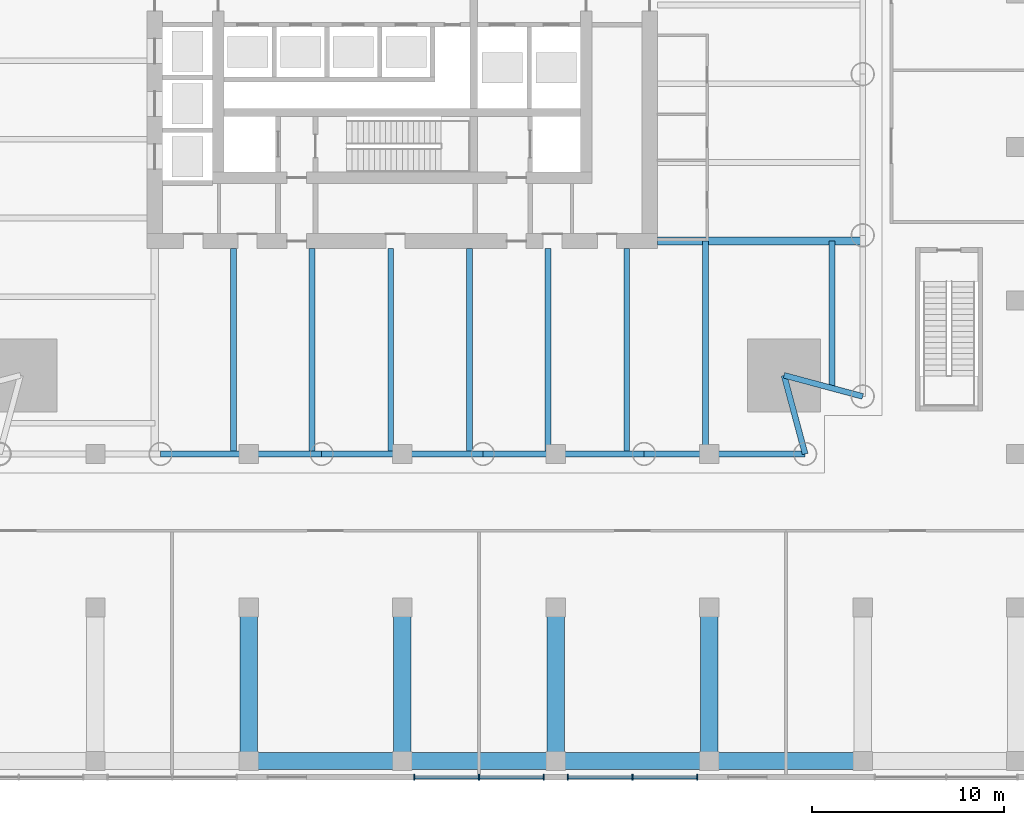
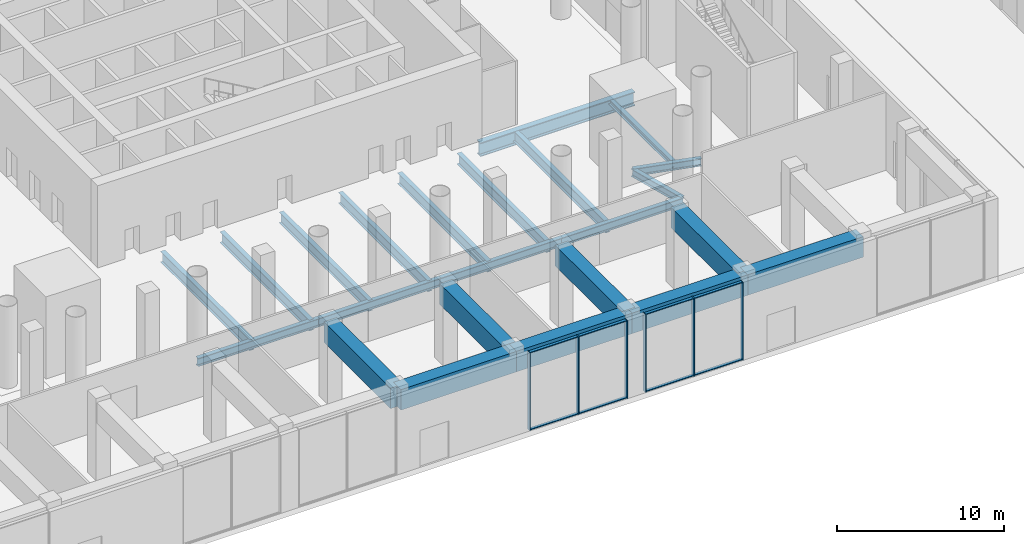
# One storey, part 6 of 39: 23 beams, 14 members, 2 elements without a shape of their own.
"""IFC4 building model written with IfcOpenShell, lengths in metres."""

from ifc_helpers import new_model, si_unit, direction, frame, origin, origin_2d, place, context, subcontext, project, spatial, rectangle, i_section, extrude, material, material_profile, profile_set, type_object, element, aggregate, save


model = new_model("IFC4")

# Units and contexts
model_context = context("Model", 3, precision=1e-05, world=origin(), true_north=direction((0.0, 1.0)))
body_context = subcontext(model_context, "Body", "Model", "MODEL_VIEW")
ifc_project = project(units=[si_unit("LENGTHUNIT", "METRE"), si_unit("AREAUNIT", "SQUARE_METRE"), si_unit("VOLUMEUNIT", "CUBIC_METRE"), si_unit("PLANEANGLEUNIT", "RADIAN"), si_unit("MASSUNIT", "GRAM", prefix="KILO")], contexts=[model_context])

# Site, building, storey
site_placement = place(None, origin())
site = spatial("IfcSite", under=ifc_project, at=site_placement, CompositionType="ELEMENT")
building_placement = place(site_placement, origin())
building = spatial("IfcBuilding", under=site, at=building_placement, Name="Ostroluk Exchange", CompositionType="ELEMENT")
storey_placement = place(building_placement, origin())
storey = spatial("IfcBuildingStorey", under=building, at=storey_placement, Name="L00", CompositionType="ELEMENT", Elevation=0.0)

# Beams
ifc_material_1 = material(Name="Steel S355", Category="steel")
ifc_material_profile_1 = material_profile(ifc_material_1, i_section(OverallWidth=0.300048828125, OverallDepth=0.550048828125, WebThickness=0.014892578125, FlangeThickness=0.029052734375, FilletRadius=0.027099609375, at=origin_2d()), Name="HEB 550")
ifc_profile_set_1 = profile_set([ifc_material_profile_1], Name="Steel S355")
beam_type_1 = type_object("IfcBeamType", Name="Corner edge beam HEB 550", PredefinedType="SPANDREL", material=ifc_profile_set_1)
for number, where, z_axis, x_axis, name in (
    (1, (64.89990234375, 26.10009765625, -0.574951171875), (0.259144268261, -0.965838624319, 0.0), (0.965838624319, 0.259144268261, 0.0), "T1 south corner edge beam a"),
    (2, (64.89990234375, 26.10009765625, -0.574951171875), (0.965838624319, -0.259144268261, 0.0), (0.259144268261, 0.965838624319, 0.0), "T1 south corner edge beam b"),
):
    element("IfcBeam", number, at=place(storey_placement, frame(where, z_axis=z_axis, x_axis=x_axis)), inside=storey, type_object=beam_type_1, Name=name, PredefinedType="SPANDREL", context=body_context, shape_type="SweptSolid", body=[
        extrude(i_section(OverallWidth=0.300048828125, OverallDepth=0.550048828125, WebThickness=0.014892578125, FlangeThickness=0.029052734375, FilletRadius=0.027099609375, at=origin_2d()), origin(), (0.0, 0.0, 1.0), 4.2451171875),
    ])
ifc_material_2 = material(Name="Steel S355", Category="steel")
ifc_material_profile_2 = material_profile(ifc_material_2, i_section(OverallWidth=0.300048828125, OverallDepth=0.39990234375, WebThickness=0.013427734375, FlangeThickness=0.02392578125, FilletRadius=0.027099609375, at=origin_2d()), Name="HEB 400")
ifc_profile_set_2 = profile_set([ifc_material_profile_2], Name="Steel S355")
beam_type_2 = type_object("IfcBeamType", Name="Floor beam HEB 400", PredefinedType="BEAM", material=ifc_profile_set_2)
beam_1_placement = place(storey_placement, frame((67.39990234375, 33.10009765625, -0.5), z_axis=(0.0, -1.0, 0.0), x_axis=(1.0, 0.0, 0.0)))
element("IfcBeam", 3, at=beam_1_placement, inside=storey, type_object=beam_type_2, Name="T1 south floor beam 8", PredefinedType="BEAM", context=body_context, shape_type="SweptSolid", body=[
    extrude(i_section(OverallWidth=0.300048828125, OverallDepth=0.39990234375, WebThickness=0.013427734375, FlangeThickness=0.02392578125, FilletRadius=0.027099609375, at=origin_2d()), origin(), (0.0, 0.0, 1.0), 7.6708984375),
])
ifc_material_3 = material(Name="Steel S355", Category="steel")
ifc_material_profile_3 = material_profile(ifc_material_3, i_section(OverallWidth=0.300048828125, OverallDepth=0.800048828125, WebThickness=0.017578125, FlangeThickness=0.032958984375, FilletRadius=0.030029296875, at=origin_2d()), Name="HEB 800")
ifc_profile_set_3 = profile_set([ifc_material_profile_3], Name="Steel S355")
beam_type_3 = type_object("IfcBeamType", Name="Floor beam HEB 800", PredefinedType="BEAM", material=ifc_profile_set_3)
for number, where, z_axis, x_axis, name in (
    (4, (36.199951171875, 32.699951171875, -0.699951171875), (0.0, -1.0, 0.0), (1.0, 0.0, 0.0), "T1 south floor beam 1"),
    (5, (40.300048828125, 32.699951171875, -0.699951171875), (0.0, -1.0, 0.0), (1.0, 0.0, 0.0), "T1 south floor beam 2"),
    (6, (44.39990234375, 32.699951171875, -0.699951171875), (0.0, -1.0, 0.0), (1.0, 0.0, 0.0), "T1 south floor beam 3"),
    (7, (48.5, 32.699951171875, -0.699951171875), (0.0, -1.0, 0.0), (1.0, 0.0, 0.0), "T1 south floor beam 4"),
    (8, (52.60009765625, 32.699951171875, -0.699951171875), (0.0, -1.0, 0.0), (1.0, 0.0, 0.0), "T1 south floor beam 5"),
):
    element("IfcBeam", number, at=place(storey_placement, frame(where, z_axis=z_axis, x_axis=x_axis)), inside=storey, type_object=beam_type_3, Name=name, PredefinedType="BEAM", context=body_context, shape_type="SweptSolid", body=[
        extrude(i_section(OverallWidth=0.300048828125, OverallDepth=0.800048828125, WebThickness=0.017578125, FlangeThickness=0.032958984375, FilletRadius=0.030029296875, at=origin_2d()), origin(), (0.0, 0.0, 1.0), 10.699951171875),
    ])
ifc_material_4 = material(Name="Steel S355", Category="steel")
ifc_material_profile_4 = material_profile(ifc_material_4, i_section(OverallWidth=0.302978515625, OverallDepth=0.81396484375, WebThickness=0.02099609375, FlangeThickness=0.0400390625, FilletRadius=0.030029296875, at=origin_2d()), Name="HEM 800")
ifc_profile_set_4 = profile_set([ifc_material_profile_4], Name="Steel S355")
beam_type_4 = type_object("IfcBeamType", Name="Floor beam HEM 800", PredefinedType="BEAM", material=ifc_profile_set_4)
beam_2_placement = place(storey_placement, frame((56.699951171875, 32.699951171875, -0.70703125), z_axis=(0.0, -1.0, 0.0), x_axis=(1.0, 0.0, 0.0)))
element("IfcBeam", 9, at=beam_2_placement, inside=storey, type_object=beam_type_4, Name="T1 south floor beam 6", PredefinedType="BEAM", context=body_context, shape_type="SweptSolid", body=[
    extrude(i_section(OverallWidth=0.302978515625, OverallDepth=0.81396484375, WebThickness=0.02099609375, FlangeThickness=0.0400390625, FilletRadius=0.030029296875, at=origin_2d()), origin(), (0.0, 0.0, 1.0), 10.699951171875),
])
beam_3_placement = place(storey_placement, frame((60.800048828125, 33.10009765625, -0.70703125), z_axis=(0.0, -1.0, 0.0), x_axis=(1.0, 0.0, 0.0)))
element("IfcBeam", 10, at=beam_3_placement, inside=storey, type_object=beam_type_4, Name="T1 south floor beam 7", PredefinedType="BEAM", context=body_context, shape_type="SweptSolid", body=[
    extrude(i_section(OverallWidth=0.302978515625, OverallDepth=0.81396484375, WebThickness=0.02099609375, FlangeThickness=0.0400390625, FilletRadius=0.030029296875, at=origin_2d()), origin(), (0.0, 0.0, 1.0), 11.10009765625),
])
ifc_material_5 = material(Name="Steel S355", Category="steel")
ifc_material_profile_5 = material_profile(ifc_material_5, i_section(OverallWidth=0.402099609375, OverallDepth=1.011962890625, WebThickness=0.035888671875, FlangeThickness=0.055908203125, FilletRadius=0.030029296875, at=origin_2d()), Name="HL 1000x443")
ifc_profile_set_5 = profile_set([ifc_material_profile_5], Name="Steel S355")
beam_type_5 = type_object("IfcBeamType", Name="Girder HL 1000x443", PredefinedType="BEAM", material=ifc_profile_set_5)
beam_4_placement = place(storey_placement, frame((58.300048828125, 33.10009765625, -0.805908203125), z_axis=(1.0, 0.0, 0.0), x_axis=(0.0, 1.0, 0.0)))
element("IfcBeam", 11, at=beam_4_placement, inside=storey, type_object=beam_type_5, Name="T1 south girder", PredefinedType="BEAM", context=body_context, shape_type="SweptSolid", body=[
    extrude(i_section(OverallWidth=0.402099609375, OverallDepth=1.011962890625, WebThickness=0.035888671875, FlangeThickness=0.055908203125, FilletRadius=0.030029296875, at=origin_2d()), origin(), (0.0, 0.0, 1.0), 10.699951171875),
])
ifc_material_6 = material(Name="Steel S355", Category="steel")
ifc_material_profile_6 = material_profile(ifc_material_6, i_section(OverallWidth=0.300048828125, OverallDepth=0.60009765625, WebThickness=0.015380859375, FlangeThickness=0.030029296875, FilletRadius=0.027099609375, at=origin_2d()), Name="HEB 600")
ifc_profile_set_6 = profile_set([ifc_material_profile_6], Name="Steel S355")
beam_type_6 = type_object("IfcBeamType", Name="Moment-connected edge beam HEB 600", PredefinedType="SPANDREL", material=ifc_profile_set_6)
beam_5_placement = place(storey_placement, frame((32.39990234375, 22.0, -0.60009765625), z_axis=(1.0, 0.0, 0.0), x_axis=(0.0, 1.0, 0.0)))
element("IfcBeam", 12, at=beam_5_placement, inside=storey, type_object=beam_type_6, Name="T1 south edge beam 2", PredefinedType="SPANDREL", context=body_context, shape_type="SweptSolid", body=[
    extrude(i_section(OverallWidth=0.300048828125, OverallDepth=0.60009765625, WebThickness=0.015380859375, FlangeThickness=0.030029296875, FilletRadius=0.027099609375, at=origin_2d()), origin(), (0.0, 0.0, 1.0), 8.400146484375),
])
beam_6_placement = place(storey_placement, frame((40.800048828125, 22.0, -0.60009765625), z_axis=(1.0, 0.0, 0.0), x_axis=(0.0, 1.0, 0.0)))
element("IfcBeam", 13, at=beam_6_placement, inside=storey, type_object=beam_type_6, Name="T1 south edge beam 3", PredefinedType="SPANDREL", context=body_context, shape_type="SweptSolid", body=[
    extrude(i_section(OverallWidth=0.300048828125, OverallDepth=0.60009765625, WebThickness=0.015380859375, FlangeThickness=0.030029296875, FilletRadius=0.027099609375, at=origin_2d()), origin(), (0.0, 0.0, 1.0), 8.39990234375),
])
beam_7_placement = place(storey_placement, frame((49.199951171875, 22.0, -0.60009765625), z_axis=(1.0, 0.0, 0.0), x_axis=(0.0, 1.0, 0.0)))
element("IfcBeam", 14, at=beam_7_placement, inside=storey, type_object=beam_type_6, Name="T1 south edge beam 4", PredefinedType="SPANDREL", context=body_context, shape_type="SweptSolid", body=[
    extrude(i_section(OverallWidth=0.300048828125, OverallDepth=0.60009765625, WebThickness=0.015380859375, FlangeThickness=0.030029296875, FilletRadius=0.027099609375, at=origin_2d()), origin(), (0.0, 0.0, 1.0), 8.400146484375),
])
beam_8_placement = place(storey_placement, frame((57.60009765625, 22.0, -0.60009765625), z_axis=(1.0, 0.0, 0.0), x_axis=(0.0, 1.0, 0.0)))
element("IfcBeam", 15, at=beam_8_placement, inside=storey, type_object=beam_type_6, Name="T1 south edge beam 5", PredefinedType="SPANDREL", context=body_context, shape_type="SweptSolid", body=[
    extrude(i_section(OverallWidth=0.300048828125, OverallDepth=0.60009765625, WebThickness=0.015380859375, FlangeThickness=0.030029296875, FilletRadius=0.027099609375, at=origin_2d()), origin(), (0.0, 0.0, 1.0), 8.39990234375),
])
ifc_material_7 = material(Name="Concrete C50/60", Category="concrete")
ifc_material_profile_7 = material_profile(ifc_material_7, rectangle(XDim=0.89990234375, YDim=1.5, at=origin_2d()), Name="RC 900x1500")
ifc_profile_set_7 = profile_set([ifc_material_profile_7], Name="Concrete C50/60")
beam_type_7 = type_object("IfcBeamType", Name="Podium edge beam RC 900x1500", PredefinedType="BEAM", material=ifc_profile_set_7)
for number, where, z_axis, x_axis, name in (
    (16, (37.0, 6.0, 4.949951171875), (0.0, 1.0, 0.0), (-1.0, 0.0, 0.0), "Terrace beam L01 west S 37"),
    (17, (45.0, 6.0, 4.949951171875), (0.0, 1.0, 0.0), (-1.0, 0.0, 0.0), "Terrace beam L01 west S 45"),
    (18, (53.0, 6.0, 4.949951171875), (0.0, 1.0, 0.0), (-1.0, 0.0, 0.0), "Terrace beam L01 west S 53"),
    (19, (61.0, 6.0, 4.949951171875), (0.0, 1.0, 0.0), (-1.0, 0.0, 0.0), "Terrace beam L01 west S 61"),
    (20, (37.0, 6.0, 4.949951171875), (1.0, 0.0, 0.0), (0.0, 1.0, 0.0), "Terrace bay beam L01 Y6-37"),
    (21, (45.0, 6.0, 4.949951171875), (1.0, 0.0, 0.0), (0.0, 1.0, 0.0), "Terrace bay beam L01 Y6-45"),
    (22, (53.0, 6.0, 4.949951171875), (1.0, 0.0, 0.0), (0.0, 1.0, 0.0), "Terrace bay beam L01 Y6-53"),
    (23, (61.0, 6.0, 4.949951171875), (1.0, 0.0, 0.0), (0.0, 1.0, 0.0), "Terrace bay beam L01 Y6-61"),
):
    element("IfcBeam", number, at=place(storey_placement, frame(where, z_axis=z_axis, x_axis=x_axis)), inside=storey, type_object=beam_type_7, Name=name, PredefinedType="BEAM", context=body_context, shape_type="SweptSolid", body=[
        extrude(rectangle(XDim=0.89990234375, YDim=1.5, at=origin_2d()), origin(), (0.0, 0.0, 1.0), 8.0),
    ])

# Curtain wall, members
ifc_material_8 = material(Name="Laminated clear glass", Category="glass")
curtain_wall_type = type_object("IfcCurtainWallType", Name="Podium shopfront", PredefinedType="USERDEFINED", material=ifc_material_8)
curtain_wall_1_placement = place(storey_placement, origin())
curtain_wall_1 = element("IfcCurtainWall", 24, at=curtain_wall_1_placement, inside=storey, type_object=curtain_wall_type, Name="Podium west S shopfront 4", ObjectType="STICK SHOPFRONT", PredefinedType="USERDEFINED")
ifc_material_9 = material(Name="Aluminium mullion", Category="aluminium")
ifc_material_profile_8 = material_profile(ifc_material_9, rectangle(XDim=0.300048828125, YDim=0.06005859375, at=origin_2d()), Name="Shopfront mullion 60 x 300")
ifc_profile_set_8 = profile_set([ifc_material_profile_8], Name="Aluminium mullion")
member_type_1 = type_object("IfcMemberType", Name="Shopfront mullion 60 x 300", PredefinedType="MULLION", material=ifc_profile_set_8)
member_1_placement = place(storey_placement, frame((45.6298828125, 5.14990234375, 0.0), z_axis=(0.0, 0.0, 1.0), x_axis=(0.0, 1.0, 0.0)))
member_1 = element("IfcMember", 25, at=member_1_placement, type_object=member_type_1, Name="CW-SF1 mullion 1", PredefinedType="MULLION", context=body_context, shape_type="SweptSolid", body=[
    extrude(rectangle(XDim=0.300048828125, YDim=0.06005859375, at=origin_2d()), origin(), (0.0, 0.0, 1.0), 5.699951171875),
])
member_2_placement = place(storey_placement, frame((49.0, 5.14990234375, 0.0), z_axis=(0.0, 0.0, 1.0), x_axis=(0.0, 1.0, 0.0)))
member_2 = element("IfcMember", 26, at=member_2_placement, type_object=member_type_1, Name="CW-SF1 mullion 2", PredefinedType="MULLION", context=body_context, shape_type="SweptSolid", body=[
    extrude(rectangle(XDim=0.300048828125, YDim=0.06005859375, at=origin_2d()), origin(), (0.0, 0.0, 1.0), 5.699951171875),
])
member_3_placement = place(storey_placement, frame((52.3701171875, 5.14990234375, 0.0), z_axis=(0.0, 0.0, 1.0), x_axis=(0.0, 1.0, 0.0)))
member_3 = element("IfcMember", 27, at=member_3_placement, type_object=member_type_1, Name="CW-SF1 mullion 3", PredefinedType="MULLION", context=body_context, shape_type="SweptSolid", body=[
    extrude(rectangle(XDim=0.300048828125, YDim=0.06005859375, at=origin_2d()), origin(), (0.0, 0.0, 1.0), 5.699951171875),
])

curtain_wall_2_placement = place(storey_placement, origin())
curtain_wall_2 = element("IfcCurtainWall", 28, at=curtain_wall_2_placement, inside=storey, type_object=curtain_wall_type, Name="Podium west S shopfront 5", ObjectType="STICK SHOPFRONT", PredefinedType="USERDEFINED")
member_4_placement = place(storey_placement, frame((53.6298828125, 5.14990234375, 0.0), z_axis=(0.0, 0.0, 1.0), x_axis=(0.0, 1.0, 0.0)))
member_4 = element("IfcMember", 29, at=member_4_placement, type_object=member_type_1, Name="CW-SF1 mullion 1", PredefinedType="MULLION", context=body_context, shape_type="SweptSolid", body=[
    extrude(rectangle(XDim=0.300048828125, YDim=0.06005859375, at=origin_2d()), origin(), (0.0, 0.0, 1.0), 5.699951171875),
])
member_5_placement = place(storey_placement, frame((57.0, 5.14990234375, 0.0), z_axis=(0.0, 0.0, 1.0), x_axis=(0.0, 1.0, 0.0)))
member_5 = element("IfcMember", 30, at=member_5_placement, type_object=member_type_1, Name="CW-SF1 mullion 2", PredefinedType="MULLION", context=body_context, shape_type="SweptSolid", body=[
    extrude(rectangle(XDim=0.300048828125, YDim=0.06005859375, at=origin_2d()), origin(), (0.0, 0.0, 1.0), 5.699951171875),
])
member_6_placement = place(storey_placement, frame((60.3701171875, 5.14990234375, 0.0), z_axis=(0.0, 0.0, 1.0), x_axis=(0.0, 1.0, 0.0)))
member_6 = element("IfcMember", 31, at=member_6_placement, type_object=member_type_1, Name="CW-SF1 mullion 3", PredefinedType="MULLION", context=body_context, shape_type="SweptSolid", body=[
    extrude(rectangle(XDim=0.300048828125, YDim=0.06005859375, at=origin_2d()), origin(), (0.0, 0.0, 1.0), 5.699951171875),
])

# Member
ifc_material_10 = material(Name="Aluminium mullion", Category="aluminium")
ifc_material_profile_9 = material_profile(ifc_material_10, rectangle(XDim=0.199951171875, YDim=0.06005859375, at=origin_2d()), Name="Shopfront transom 60 x 200")
ifc_profile_set_9 = profile_set([ifc_material_profile_9], Name="Aluminium mullion")
member_type_2 = type_object("IfcMemberType", Name="Shopfront transom 60 x 200", PredefinedType="USERDEFINED", material=ifc_profile_set_9)
member_7_placement = place(storey_placement, frame((45.659912109375, 5.14990234375, 0.030029296875), z_axis=(1.0, 0.0, 0.0), x_axis=(0.0, 1.0, 0.0)))
member_7 = element("IfcMember", 32, at=member_7_placement, type_object=member_type_2, Name="CW-SF1 transom 1.1", ObjectType="TRANSOM", PredefinedType="USERDEFINED", context=body_context, shape_type="SweptSolid", body=[
    extrude(rectangle(XDim=0.199951171875, YDim=0.06005859375, at=origin_2d()), origin(), (0.0, 0.0, 1.0), 3.31005859375),
])

member_8_placement = place(storey_placement, frame((45.659912109375, 5.14990234375, 5.669921875), z_axis=(1.0, 0.0, 0.0), x_axis=(0.0, 1.0, 0.0)))
member_8 = element("IfcMember", 33, at=member_8_placement, type_object=member_type_2, Name="CW-SF1 transom 1.2", ObjectType="TRANSOM", PredefinedType="USERDEFINED", context=body_context, shape_type="SweptSolid", body=[
    extrude(rectangle(XDim=0.199951171875, YDim=0.06005859375, at=origin_2d()), origin(), (0.0, 0.0, 1.0), 3.31005859375),
])

member_9_placement = place(storey_placement, frame((49.030029296875, 5.14990234375, 0.030029296875), z_axis=(1.0, 0.0, 0.0), x_axis=(0.0, 1.0, 0.0)))
member_9 = element("IfcMember", 34, at=member_9_placement, type_object=member_type_2, Name="CW-SF1 transom 2.1", ObjectType="TRANSOM", PredefinedType="USERDEFINED", context=body_context, shape_type="SweptSolid", body=[
    extrude(rectangle(XDim=0.199951171875, YDim=0.06005859375, at=origin_2d()), origin(), (0.0, 0.0, 1.0), 3.31005859375),
])

member_10_placement = place(storey_placement, frame((49.030029296875, 5.14990234375, 5.669921875), z_axis=(1.0, 0.0, 0.0), x_axis=(0.0, 1.0, 0.0)))
member_10 = element("IfcMember", 35, at=member_10_placement, type_object=member_type_2, Name="CW-SF1 transom 2.2", ObjectType="TRANSOM", PredefinedType="USERDEFINED", context=body_context, shape_type="SweptSolid", body=[
    extrude(rectangle(XDim=0.199951171875, YDim=0.06005859375, at=origin_2d()), origin(), (0.0, 0.0, 1.0), 3.31005859375),
])

aggregate(curtain_wall_1, [member_1, member_2, member_3, member_7, member_8, member_9, member_10])

member_11_placement = place(storey_placement, frame((53.659912109375, 5.14990234375, 0.030029296875), z_axis=(1.0, 0.0, 0.0), x_axis=(0.0, 1.0, 0.0)))
member_11 = element("IfcMember", 36, at=member_11_placement, type_object=member_type_2, Name="CW-SF1 transom 1.1", ObjectType="TRANSOM", PredefinedType="USERDEFINED", context=body_context, shape_type="SweptSolid", body=[
    extrude(rectangle(XDim=0.199951171875, YDim=0.06005859375, at=origin_2d()), origin(), (0.0, 0.0, 1.0), 3.31005859375),
])

member_12_placement = place(storey_placement, frame((53.659912109375, 5.14990234375, 5.669921875), z_axis=(1.0, 0.0, 0.0), x_axis=(0.0, 1.0, 0.0)))
member_12 = element("IfcMember", 37, at=member_12_placement, type_object=member_type_2, Name="CW-SF1 transom 1.2", ObjectType="TRANSOM", PredefinedType="USERDEFINED", context=body_context, shape_type="SweptSolid", body=[
    extrude(rectangle(XDim=0.199951171875, YDim=0.06005859375, at=origin_2d()), origin(), (0.0, 0.0, 1.0), 3.31005859375),
])

member_13_placement = place(storey_placement, frame((57.030029296875, 5.14990234375, 0.030029296875), z_axis=(1.0, 0.0, 0.0), x_axis=(0.0, 1.0, 0.0)))
member_13 = element("IfcMember", 38, at=member_13_placement, type_object=member_type_2, Name="CW-SF1 transom 2.1", ObjectType="TRANSOM", PredefinedType="USERDEFINED", context=body_context, shape_type="SweptSolid", body=[
    extrude(rectangle(XDim=0.199951171875, YDim=0.06005859375, at=origin_2d()), origin(), (0.0, 0.0, 1.0), 3.31005859375),
])

member_14_placement = place(storey_placement, frame((57.030029296875, 5.14990234375, 5.669921875), z_axis=(1.0, 0.0, 0.0), x_axis=(0.0, 1.0, 0.0)))
member_14 = element("IfcMember", 39, at=member_14_placement, type_object=member_type_2, Name="CW-SF1 transom 2.2", ObjectType="TRANSOM", PredefinedType="USERDEFINED", context=body_context, shape_type="SweptSolid", body=[
    extrude(rectangle(XDim=0.199951171875, YDim=0.06005859375, at=origin_2d()), origin(), (0.0, 0.0, 1.0), 3.31005859375),
])

aggregate(curtain_wall_2, [member_4, member_5, member_6, member_11, member_12, member_13, member_14])

save(model, "model.ifc")
